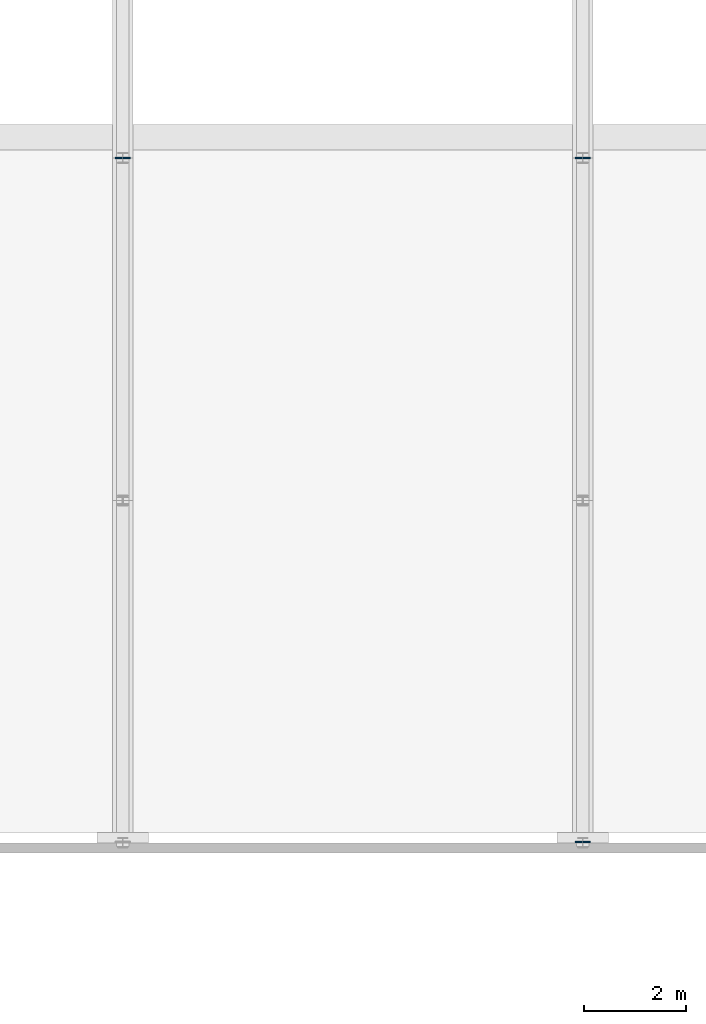
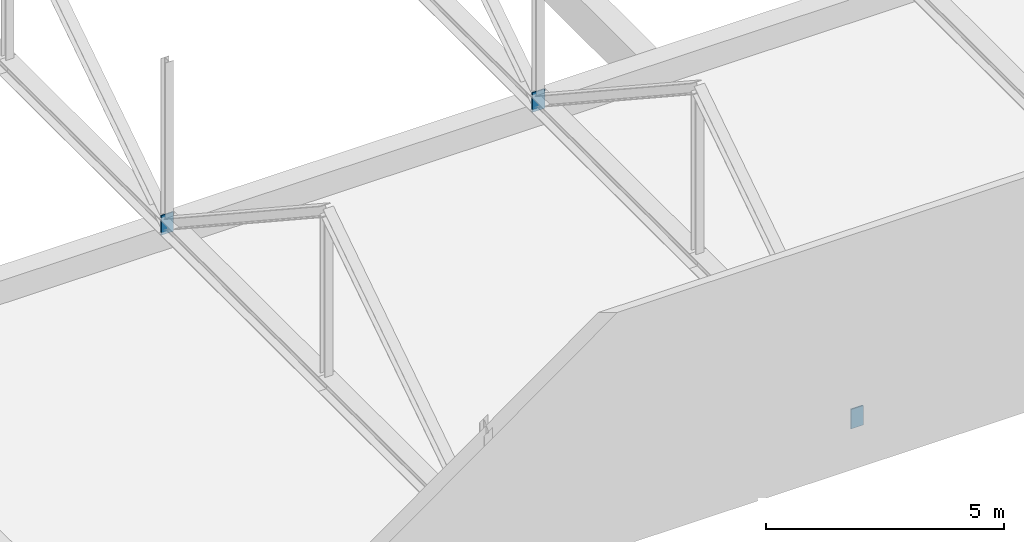
# One storey, part 36 of 49: 3 discrete accessories.
"""IFC4 building model written with IfcOpenShell, lengths in metres."""

from ifc_helpers import new_model, si_unit, direction, frame, origin, origin_2d, place, context, subcontext, project, spatial, rectangle, extrude, material, layer, layer_set, type_object, element, save


model = new_model("IFC4")

# Units and contexts
model_context = context("Model", 3, precision=1e-05, world=origin(), true_north=direction((0.0, 1.0)))
body_context = subcontext(model_context, "Body", "Model", "MODEL_VIEW")
ifc_project = project(units=[si_unit("LENGTHUNIT", "METRE"), si_unit("AREAUNIT", "SQUARE_METRE"), si_unit("VOLUMEUNIT", "CUBIC_METRE"), si_unit("PLANEANGLEUNIT", "RADIAN"), si_unit("MASSUNIT", "GRAM", prefix="KILO")], contexts=[model_context])

# Site, building, storey
site_placement = place(None, origin())
site = spatial("IfcSite", under=ifc_project, at=site_placement, CompositionType="ELEMENT")
building_placement = place(site_placement, origin())
building = spatial("IfcBuilding", under=site, at=building_placement, Name="Hunhe Ridgeline Campus", CompositionType="ELEMENT")
storey_placement = place(building_placement, frame((0.0, 0.0, 21.60009765625)))
storey = spatial("IfcBuildingStorey", under=building, at=storey_placement, Name="L04", CompositionType="ELEMENT", Elevation=21.60009765625)

# Discrete accessories
ifc_material = material(Name="Steel Q355", Category="steel")
ifc_layer = layer(ifc_material, 0.030029296875)
ifc_layer_set = layer_set([ifc_layer], Name="Cast-in plate 300x500x30 Steel Q355")
discrete_accessory_type = type_object("IfcDiscreteAccessoryType", Name="Cast-in plate 300x500x30 Steel Q355", PredefinedType="BRACKET", material=ifc_layer_set)
for number, where, z_axis, x_axis, name in (
    (1, (189.0, 22.715087890625, 0.539794921875), (0.0, 0.0, 1.0), (0.0, 1.0, 0.0), "Roof truss 5 cast-in plate s bottom"),
    (2, (180.0, 36.10009765625, 0.539794921875), (0.0, 0.0, 1.0), (0.0, 1.0, 0.0), "Roof truss 4 cast-in plate node 2 bottom"),
    (3, (189.0, 36.10009765625, 0.539794921875), (0.0, 0.0, 1.0), (0.0, 1.0, 0.0), "Roof truss 5 cast-in plate node 2 bottom"),
):
    element("IfcDiscreteAccessory", number, at=place(storey_placement, frame(where, z_axis=z_axis, x_axis=x_axis)), inside=storey, type_object=discrete_accessory_type, Name=name, PredefinedType="BRACKET", context=body_context, shape_type="SweptSolid", body=[
        extrude(rectangle(XDim=0.030029296875, YDim=0.300048828125, at=origin_2d()), origin(), (0.0, 0.0, 1.0), 0.5),
    ])

save(model, "model.ifc")
